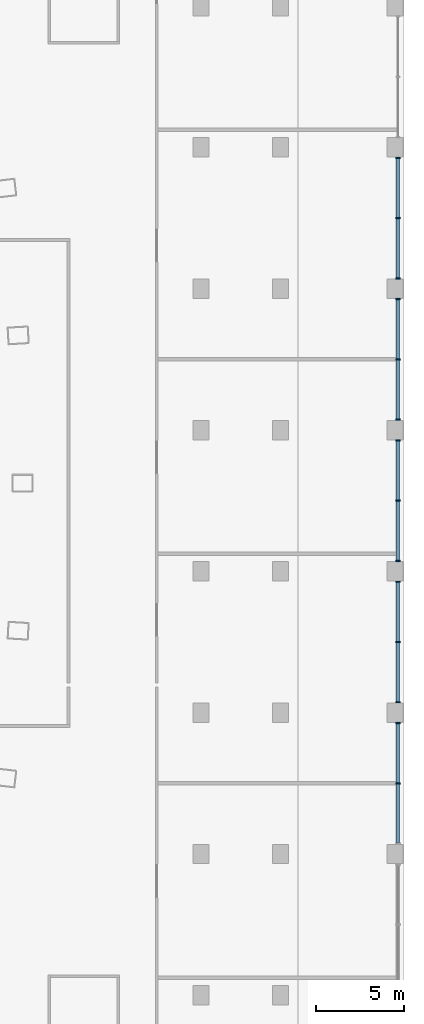
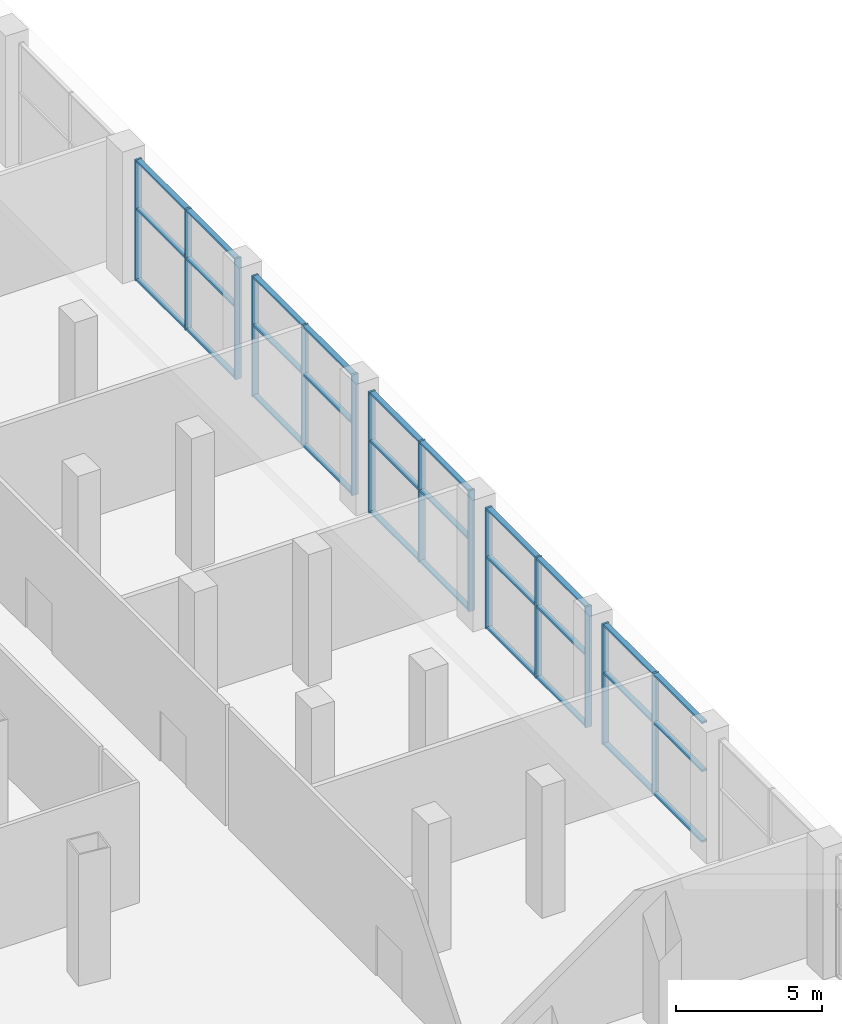
# One storey, part 5 of 26: 44 members, 5 elements without a shape of their own.
"""IFC4 building model written with IfcOpenShell, lengths in metres."""

from ifc_helpers import new_model, si_unit, direction, frame, origin, origin_2d, place, context, subcontext, project, spatial, rectangle, extrude, material, layer, layer_set, material_profile, profile_set, type_object, element, aggregate, save


model = new_model("IFC4")

# Units and contexts
model_context = context("Model", 3, precision=1e-05, world=origin(), true_north=direction((0.0, 1.0)))
body_context = subcontext(model_context, "Body", "Model", "MODEL_VIEW")
ifc_project = project(units=[si_unit("LENGTHUNIT", "METRE"), si_unit("AREAUNIT", "SQUARE_METRE"), si_unit("VOLUMEUNIT", "CUBIC_METRE"), si_unit("PLANEANGLEUNIT", "RADIAN"), si_unit("MASSUNIT", "GRAM", prefix="KILO")], contexts=[model_context])

# Site, building, storey
site_placement = place(None, origin())
site = spatial("IfcSite", under=ifc_project, at=site_placement, CompositionType="ELEMENT")
building_placement = place(site_placement, origin())
building = spatial("IfcBuilding", under=site, at=building_placement, Name="Alderwake Tower", CompositionType="ELEMENT")
storey_placement = place(building_placement, frame((0.0, 0.0, 8.0)))
storey = spatial("IfcBuildingStorey", under=building, at=storey_placement, Name="L01", CompositionType="ELEMENT", Elevation=8.0)

# Curtain wall, members
ifc_material_1 = material(Name="Bronze tinted glass in aluminium frame", Category="aluminium")
ifc_layer = layer(ifc_material_1, 0.300048828125)
ifc_layer_set = layer_set([ifc_layer], Name="Curtain wall CW2 station concourse wall")
curtain_wall_type = type_object("IfcCurtainWallType", Name="Curtain wall CW2 station concourse wall", PredefinedType="NOTDEFINED", material=ifc_layer_set)
curtain_wall_1_placement = place(storey_placement, origin())
curtain_wall_1 = element("IfcCurtainWall", 1, at=curtain_wall_1_placement, inside=storey, type_object=curtain_wall_type, Name="Curtain wall 7", PredefinedType="NOTDEFINED")
ifc_material_2 = material(Name="Aluminium bronze anodised", Category="aluminium")
ifc_material_profile_1 = material_profile(ifc_material_2, rectangle(XDim=0.25, YDim=0.080078125, at=origin_2d()), Name="Mullion MUB 80x250")
ifc_profile_set_1 = profile_set([ifc_material_profile_1], Name="Aluminium bronze anodised")
member_type_1 = type_object("IfcMemberType", Name="Mullion MUB 80x250", PredefinedType="MULLION", material=ifc_profile_set_1)
member_1_placement = place(storey_placement, frame((84.64990234375, 44.0, 0.0), z_axis=(0.0, 0.0, 1.0), x_axis=(-1.0, 0.0, 0.0)))
member_1 = element("IfcMember", 2, at=member_1_placement, type_object=member_type_1, Name="CW.07 mullion 2", PredefinedType="MULLION", context=body_context, shape_type="SweptSolid", body=[
    extrude(rectangle(XDim=0.25, YDim=0.080078125, at=origin_2d()), origin(), (0.0, 0.0, 1.0), 5.050048828125),
])
member_2_placement = place(storey_placement, frame((84.64990234375, 47.409912109375, 0.0), z_axis=(0.0, 0.0, 1.0), x_axis=(-1.0, 0.0, 0.0)))
member_2 = element("IfcMember", 3, at=member_2_placement, type_object=member_type_1, Name="CW.07 mullion 3", PredefinedType="MULLION", context=body_context, shape_type="SweptSolid", body=[
    extrude(rectangle(XDim=0.25, YDim=0.080078125, at=origin_2d()), origin(), (0.0, 0.0, 1.0), 5.050048828125),
])

curtain_wall_2_placement = place(storey_placement, origin())
curtain_wall_2 = element("IfcCurtainWall", 4, at=curtain_wall_2_placement, inside=storey, type_object=curtain_wall_type, Name="Curtain wall 8", PredefinedType="NOTDEFINED")
member_3_placement = place(storey_placement, frame((84.64990234375, 48.590087890625, 0.0), z_axis=(0.0, 0.0, 1.0), x_axis=(-1.0, 0.0, 0.0)))
member_3 = element("IfcMember", 5, at=member_3_placement, type_object=member_type_1, Name="CW.08 mullion 1", PredefinedType="MULLION", context=body_context, shape_type="SweptSolid", body=[
    extrude(rectangle(XDim=0.25, YDim=0.080078125, at=origin_2d()), origin(), (0.0, 0.0, 1.0), 5.050048828125),
])
member_4_placement = place(storey_placement, frame((84.64990234375, 52.0, 0.0), z_axis=(0.0, 0.0, 1.0), x_axis=(-1.0, 0.0, 0.0)))
member_4 = element("IfcMember", 6, at=member_4_placement, type_object=member_type_1, Name="CW.08 mullion 2", PredefinedType="MULLION", context=body_context, shape_type="SweptSolid", body=[
    extrude(rectangle(XDim=0.25, YDim=0.080078125, at=origin_2d()), origin(), (0.0, 0.0, 1.0), 5.050048828125),
])
member_5_placement = place(storey_placement, frame((84.64990234375, 55.409912109375, 0.0), z_axis=(0.0, 0.0, 1.0), x_axis=(-1.0, 0.0, 0.0)))
member_5 = element("IfcMember", 7, at=member_5_placement, type_object=member_type_1, Name="CW.08 mullion 3", PredefinedType="MULLION", context=body_context, shape_type="SweptSolid", body=[
    extrude(rectangle(XDim=0.25, YDim=0.080078125, at=origin_2d()), origin(), (0.0, 0.0, 1.0), 5.050048828125),
])

curtain_wall_3_placement = place(storey_placement, origin())
curtain_wall_3 = element("IfcCurtainWall", 8, at=curtain_wall_3_placement, inside=storey, type_object=curtain_wall_type, Name="Curtain wall 9", PredefinedType="NOTDEFINED")
member_6_placement = place(storey_placement, frame((84.64990234375, 56.590087890625, 0.0), z_axis=(0.0, 0.0, 1.0), x_axis=(-1.0, 0.0, 0.0)))
member_6 = element("IfcMember", 9, at=member_6_placement, type_object=member_type_1, Name="CW.09 mullion 1", PredefinedType="MULLION", context=body_context, shape_type="SweptSolid", body=[
    extrude(rectangle(XDim=0.25, YDim=0.080078125, at=origin_2d()), origin(), (0.0, 0.0, 1.0), 5.050048828125),
])
member_7_placement = place(storey_placement, frame((84.64990234375, 60.0, 0.0), z_axis=(0.0, 0.0, 1.0), x_axis=(-1.0, 0.0, 0.0)))
member_7 = element("IfcMember", 10, at=member_7_placement, type_object=member_type_1, Name="CW.09 mullion 2", PredefinedType="MULLION", context=body_context, shape_type="SweptSolid", body=[
    extrude(rectangle(XDim=0.25, YDim=0.080078125, at=origin_2d()), origin(), (0.0, 0.0, 1.0), 5.050048828125),
])
member_8_placement = place(storey_placement, frame((84.64990234375, 63.409912109375, 0.0), z_axis=(0.0, 0.0, 1.0), x_axis=(-1.0, 0.0, 0.0)))
member_8 = element("IfcMember", 11, at=member_8_placement, type_object=member_type_1, Name="CW.09 mullion 3", PredefinedType="MULLION", context=body_context, shape_type="SweptSolid", body=[
    extrude(rectangle(XDim=0.25, YDim=0.080078125, at=origin_2d()), origin(), (0.0, 0.0, 1.0), 5.050048828125),
])

curtain_wall_4_placement = place(storey_placement, origin())
curtain_wall_4 = element("IfcCurtainWall", 12, at=curtain_wall_4_placement, inside=storey, type_object=curtain_wall_type, Name="Curtain wall 10", PredefinedType="NOTDEFINED")
member_9_placement = place(storey_placement, frame((84.64990234375, 64.590087890625, 0.0), z_axis=(0.0, 0.0, 1.0), x_axis=(-1.0, 0.0, 0.0)))
member_9 = element("IfcMember", 13, at=member_9_placement, type_object=member_type_1, Name="CW.10 mullion 1", PredefinedType="MULLION", context=body_context, shape_type="SweptSolid", body=[
    extrude(rectangle(XDim=0.25, YDim=0.080078125, at=origin_2d()), origin(), (0.0, 0.0, 1.0), 5.050048828125),
])
member_10_placement = place(storey_placement, frame((84.64990234375, 68.0, 0.0), z_axis=(0.0, 0.0, 1.0), x_axis=(-1.0, 0.0, 0.0)))
member_10 = element("IfcMember", 14, at=member_10_placement, type_object=member_type_1, Name="CW.10 mullion 2", PredefinedType="MULLION", context=body_context, shape_type="SweptSolid", body=[
    extrude(rectangle(XDim=0.25, YDim=0.080078125, at=origin_2d()), origin(), (0.0, 0.0, 1.0), 5.050048828125),
])
member_11_placement = place(storey_placement, frame((84.64990234375, 71.409912109375, 0.0), z_axis=(0.0, 0.0, 1.0), x_axis=(-1.0, 0.0, 0.0)))
member_11 = element("IfcMember", 15, at=member_11_placement, type_object=member_type_1, Name="CW.10 mullion 3", PredefinedType="MULLION", context=body_context, shape_type="SweptSolid", body=[
    extrude(rectangle(XDim=0.25, YDim=0.080078125, at=origin_2d()), origin(), (0.0, 0.0, 1.0), 5.050048828125),
])

curtain_wall_5_placement = place(storey_placement, origin())
curtain_wall_5 = element("IfcCurtainWall", 16, at=curtain_wall_5_placement, inside=storey, type_object=curtain_wall_type, Name="Curtain wall 11", PredefinedType="NOTDEFINED")
member_12_placement = place(storey_placement, frame((84.64990234375, 72.590087890625, 0.0), z_axis=(0.0, 0.0, 1.0), x_axis=(-1.0, 0.0, 0.0)))
member_12 = element("IfcMember", 17, at=member_12_placement, type_object=member_type_1, Name="CW.11 mullion 1", PredefinedType="MULLION", context=body_context, shape_type="SweptSolid", body=[
    extrude(rectangle(XDim=0.25, YDim=0.080078125, at=origin_2d()), origin(), (0.0, 0.0, 1.0), 5.050048828125),
])
member_13_placement = place(storey_placement, frame((84.64990234375, 76.0, 0.0), z_axis=(0.0, 0.0, 1.0), x_axis=(-1.0, 0.0, 0.0)))
member_13 = element("IfcMember", 18, at=member_13_placement, type_object=member_type_1, Name="CW.11 mullion 2", PredefinedType="MULLION", context=body_context, shape_type="SweptSolid", body=[
    extrude(rectangle(XDim=0.25, YDim=0.080078125, at=origin_2d()), origin(), (0.0, 0.0, 1.0), 5.050048828125),
])
member_14_placement = place(storey_placement, frame((84.64990234375, 79.409912109375, 0.0), z_axis=(0.0, 0.0, 1.0), x_axis=(-1.0, 0.0, 0.0)))
member_14 = element("IfcMember", 19, at=member_14_placement, type_object=member_type_1, Name="CW.11 mullion 3", PredefinedType="MULLION", context=body_context, shape_type="SweptSolid", body=[
    extrude(rectangle(XDim=0.25, YDim=0.080078125, at=origin_2d()), origin(), (0.0, 0.0, 1.0), 5.050048828125),
])

# Member
ifc_material_3 = material(Name="Aluminium bronze anodised", Category="aluminium")
ifc_material_profile_2 = material_profile(ifc_material_3, rectangle(XDim=0.199951171875, YDim=0.080078125, at=origin_2d()), Name="Transom TRB 80x200")
ifc_profile_set_2 = profile_set([ifc_material_profile_2], Name="Aluminium bronze anodised")
member_type_2 = type_object("IfcMemberType", Name="Transom TRB 80x200", PredefinedType="USERDEFINED", material=ifc_profile_set_2)
member_15_placement = place(storey_placement, frame((84.64990234375, 40.6298828125, 0.0400390625), z_axis=(0.0, 1.0, 0.0), x_axis=(-1.0, 0.0, 0.0)))
member_15 = element("IfcMember", 20, at=member_15_placement, type_object=member_type_2, Name="CW.07 transom 1.1", ObjectType="TRANSOM", PredefinedType="USERDEFINED", context=body_context, shape_type="SweptSolid", body=[
    extrude(rectangle(XDim=0.199951171875, YDim=0.080078125, at=origin_2d()), origin(), (0.0, 0.0, 1.0), 3.330078125),
])

member_16_placement = place(storey_placement, frame((84.64990234375, 40.6298828125, 3.0), z_axis=(0.0, 1.0, 0.0), x_axis=(-1.0, 0.0, 0.0)))
member_16 = element("IfcMember", 21, at=member_16_placement, type_object=member_type_2, Name="CW.07 transom 1.2", ObjectType="TRANSOM", PredefinedType="USERDEFINED", context=body_context, shape_type="SweptSolid", body=[
    extrude(rectangle(XDim=0.199951171875, YDim=0.080078125, at=origin_2d()), origin(), (0.0, 0.0, 1.0), 3.330078125),
])

member_17_placement = place(storey_placement, frame((84.64990234375, 40.6298828125, 5.010009765625), z_axis=(0.0, 1.0, 0.0), x_axis=(-1.0, 0.0, 0.0)))
member_17 = element("IfcMember", 22, at=member_17_placement, type_object=member_type_2, Name="CW.07 transom 1.3", ObjectType="TRANSOM", PredefinedType="USERDEFINED", context=body_context, shape_type="SweptSolid", body=[
    extrude(rectangle(XDim=0.199951171875, YDim=0.080078125, at=origin_2d()), origin(), (0.0, 0.0, 1.0), 3.330078125),
])

member_18_placement = place(storey_placement, frame((84.64990234375, 44.0400390625, 0.0400390625), z_axis=(0.0, 1.0, 0.0), x_axis=(-1.0, 0.0, 0.0)))
member_18 = element("IfcMember", 23, at=member_18_placement, type_object=member_type_2, Name="CW.07 transom 2.1", ObjectType="TRANSOM", PredefinedType="USERDEFINED", context=body_context, shape_type="SweptSolid", body=[
    extrude(rectangle(XDim=0.199951171875, YDim=0.080078125, at=origin_2d()), origin(), (0.0, 0.0, 1.0), 3.330078125),
])

member_19_placement = place(storey_placement, frame((84.64990234375, 44.0400390625, 3.0), z_axis=(0.0, 1.0, 0.0), x_axis=(-1.0, 0.0, 0.0)))
member_19 = element("IfcMember", 24, at=member_19_placement, type_object=member_type_2, Name="CW.07 transom 2.2", ObjectType="TRANSOM", PredefinedType="USERDEFINED", context=body_context, shape_type="SweptSolid", body=[
    extrude(rectangle(XDim=0.199951171875, YDim=0.080078125, at=origin_2d()), origin(), (0.0, 0.0, 1.0), 3.330078125),
])

member_20_placement = place(storey_placement, frame((84.64990234375, 44.0400390625, 5.010009765625), z_axis=(0.0, 1.0, 0.0), x_axis=(-1.0, 0.0, 0.0)))
member_20 = element("IfcMember", 25, at=member_20_placement, type_object=member_type_2, Name="CW.07 transom 2.3", ObjectType="TRANSOM", PredefinedType="USERDEFINED", context=body_context, shape_type="SweptSolid", body=[
    extrude(rectangle(XDim=0.199951171875, YDim=0.080078125, at=origin_2d()), origin(), (0.0, 0.0, 1.0), 3.330078125),
])

aggregate(curtain_wall_1, [member_1, member_2, member_15, member_16, member_17, member_18, member_19, member_20])

member_21_placement = place(storey_placement, frame((84.64990234375, 48.6298828125, 0.0400390625), z_axis=(0.0, 1.0, 0.0), x_axis=(-1.0, 0.0, 0.0)))
member_21 = element("IfcMember", 26, at=member_21_placement, type_object=member_type_2, Name="CW.08 transom 1.1", ObjectType="TRANSOM", PredefinedType="USERDEFINED", context=body_context, shape_type="SweptSolid", body=[
    extrude(rectangle(XDim=0.199951171875, YDim=0.080078125, at=origin_2d()), origin(), (0.0, 0.0, 1.0), 3.330078125),
])

member_22_placement = place(storey_placement, frame((84.64990234375, 48.6298828125, 3.0), z_axis=(0.0, 1.0, 0.0), x_axis=(-1.0, 0.0, 0.0)))
member_22 = element("IfcMember", 27, at=member_22_placement, type_object=member_type_2, Name="CW.08 transom 1.2", ObjectType="TRANSOM", PredefinedType="USERDEFINED", context=body_context, shape_type="SweptSolid", body=[
    extrude(rectangle(XDim=0.199951171875, YDim=0.080078125, at=origin_2d()), origin(), (0.0, 0.0, 1.0), 3.330078125),
])

member_23_placement = place(storey_placement, frame((84.64990234375, 48.6298828125, 5.010009765625), z_axis=(0.0, 1.0, 0.0), x_axis=(-1.0, 0.0, 0.0)))
member_23 = element("IfcMember", 28, at=member_23_placement, type_object=member_type_2, Name="CW.08 transom 1.3", ObjectType="TRANSOM", PredefinedType="USERDEFINED", context=body_context, shape_type="SweptSolid", body=[
    extrude(rectangle(XDim=0.199951171875, YDim=0.080078125, at=origin_2d()), origin(), (0.0, 0.0, 1.0), 3.330078125),
])

member_24_placement = place(storey_placement, frame((84.64990234375, 52.0400390625, 0.0400390625), z_axis=(0.0, 1.0, 0.0), x_axis=(-1.0, 0.0, 0.0)))
member_24 = element("IfcMember", 29, at=member_24_placement, type_object=member_type_2, Name="CW.08 transom 2.1", ObjectType="TRANSOM", PredefinedType="USERDEFINED", context=body_context, shape_type="SweptSolid", body=[
    extrude(rectangle(XDim=0.199951171875, YDim=0.080078125, at=origin_2d()), origin(), (0.0, 0.0, 1.0), 3.330078125),
])

member_25_placement = place(storey_placement, frame((84.64990234375, 52.0400390625, 3.0), z_axis=(0.0, 1.0, 0.0), x_axis=(-1.0, 0.0, 0.0)))
member_25 = element("IfcMember", 30, at=member_25_placement, type_object=member_type_2, Name="CW.08 transom 2.2", ObjectType="TRANSOM", PredefinedType="USERDEFINED", context=body_context, shape_type="SweptSolid", body=[
    extrude(rectangle(XDim=0.199951171875, YDim=0.080078125, at=origin_2d()), origin(), (0.0, 0.0, 1.0), 3.330078125),
])

member_26_placement = place(storey_placement, frame((84.64990234375, 52.0400390625, 5.010009765625), z_axis=(0.0, 1.0, 0.0), x_axis=(-1.0, 0.0, 0.0)))
member_26 = element("IfcMember", 31, at=member_26_placement, type_object=member_type_2, Name="CW.08 transom 2.3", ObjectType="TRANSOM", PredefinedType="USERDEFINED", context=body_context, shape_type="SweptSolid", body=[
    extrude(rectangle(XDim=0.199951171875, YDim=0.080078125, at=origin_2d()), origin(), (0.0, 0.0, 1.0), 3.330078125),
])

aggregate(curtain_wall_2, [member_3, member_4, member_5, member_21, member_22, member_23, member_24, member_25, member_26])

member_27_placement = place(storey_placement, frame((84.64990234375, 56.6298828125, 0.0400390625), z_axis=(0.0, 1.0, 0.0), x_axis=(-1.0, 0.0, 0.0)))
member_27 = element("IfcMember", 32, at=member_27_placement, type_object=member_type_2, Name="CW.09 transom 1.1", ObjectType="TRANSOM", PredefinedType="USERDEFINED", context=body_context, shape_type="SweptSolid", body=[
    extrude(rectangle(XDim=0.199951171875, YDim=0.080078125, at=origin_2d()), origin(), (0.0, 0.0, 1.0), 3.330078125),
])

member_28_placement = place(storey_placement, frame((84.64990234375, 56.6298828125, 3.0), z_axis=(0.0, 1.0, 0.0), x_axis=(-1.0, 0.0, 0.0)))
member_28 = element("IfcMember", 33, at=member_28_placement, type_object=member_type_2, Name="CW.09 transom 1.2", ObjectType="TRANSOM", PredefinedType="USERDEFINED", context=body_context, shape_type="SweptSolid", body=[
    extrude(rectangle(XDim=0.199951171875, YDim=0.080078125, at=origin_2d()), origin(), (0.0, 0.0, 1.0), 3.330078125),
])

member_29_placement = place(storey_placement, frame((84.64990234375, 56.6298828125, 5.010009765625), z_axis=(0.0, 1.0, 0.0), x_axis=(-1.0, 0.0, 0.0)))
member_29 = element("IfcMember", 34, at=member_29_placement, type_object=member_type_2, Name="CW.09 transom 1.3", ObjectType="TRANSOM", PredefinedType="USERDEFINED", context=body_context, shape_type="SweptSolid", body=[
    extrude(rectangle(XDim=0.199951171875, YDim=0.080078125, at=origin_2d()), origin(), (0.0, 0.0, 1.0), 3.330078125),
])

member_30_placement = place(storey_placement, frame((84.64990234375, 60.0400390625, 0.0400390625), z_axis=(0.0, 1.0, 0.0), x_axis=(-1.0, 0.0, 0.0)))
member_30 = element("IfcMember", 35, at=member_30_placement, type_object=member_type_2, Name="CW.09 transom 2.1", ObjectType="TRANSOM", PredefinedType="USERDEFINED", context=body_context, shape_type="SweptSolid", body=[
    extrude(rectangle(XDim=0.199951171875, YDim=0.080078125, at=origin_2d()), origin(), (0.0, 0.0, 1.0), 3.330078125),
])

member_31_placement = place(storey_placement, frame((84.64990234375, 60.0400390625, 3.0), z_axis=(0.0, 1.0, 0.0), x_axis=(-1.0, 0.0, 0.0)))
member_31 = element("IfcMember", 36, at=member_31_placement, type_object=member_type_2, Name="CW.09 transom 2.2", ObjectType="TRANSOM", PredefinedType="USERDEFINED", context=body_context, shape_type="SweptSolid", body=[
    extrude(rectangle(XDim=0.199951171875, YDim=0.080078125, at=origin_2d()), origin(), (0.0, 0.0, 1.0), 3.330078125),
])

member_32_placement = place(storey_placement, frame((84.64990234375, 60.0400390625, 5.010009765625), z_axis=(0.0, 1.0, 0.0), x_axis=(-1.0, 0.0, 0.0)))
member_32 = element("IfcMember", 37, at=member_32_placement, type_object=member_type_2, Name="CW.09 transom 2.3", ObjectType="TRANSOM", PredefinedType="USERDEFINED", context=body_context, shape_type="SweptSolid", body=[
    extrude(rectangle(XDim=0.199951171875, YDim=0.080078125, at=origin_2d()), origin(), (0.0, 0.0, 1.0), 3.330078125),
])

aggregate(curtain_wall_3, [member_6, member_7, member_8, member_27, member_28, member_29, member_30, member_31, member_32])

member_33_placement = place(storey_placement, frame((84.64990234375, 64.6298828125, 0.0400390625), z_axis=(0.0, 1.0, 0.0), x_axis=(-1.0, 0.0, 0.0)))
member_33 = element("IfcMember", 38, at=member_33_placement, type_object=member_type_2, Name="CW.10 transom 1.1", ObjectType="TRANSOM", PredefinedType="USERDEFINED", context=body_context, shape_type="SweptSolid", body=[
    extrude(rectangle(XDim=0.199951171875, YDim=0.080078125, at=origin_2d()), origin(), (0.0, 0.0, 1.0), 3.330078125),
])

member_34_placement = place(storey_placement, frame((84.64990234375, 64.6298828125, 3.0), z_axis=(0.0, 1.0, 0.0), x_axis=(-1.0, 0.0, 0.0)))
member_34 = element("IfcMember", 39, at=member_34_placement, type_object=member_type_2, Name="CW.10 transom 1.2", ObjectType="TRANSOM", PredefinedType="USERDEFINED", context=body_context, shape_type="SweptSolid", body=[
    extrude(rectangle(XDim=0.199951171875, YDim=0.080078125, at=origin_2d()), origin(), (0.0, 0.0, 1.0), 3.330078125),
])

member_35_placement = place(storey_placement, frame((84.64990234375, 64.6298828125, 5.010009765625), z_axis=(0.0, 1.0, 0.0), x_axis=(-1.0, 0.0, 0.0)))
member_35 = element("IfcMember", 40, at=member_35_placement, type_object=member_type_2, Name="CW.10 transom 1.3", ObjectType="TRANSOM", PredefinedType="USERDEFINED", context=body_context, shape_type="SweptSolid", body=[
    extrude(rectangle(XDim=0.199951171875, YDim=0.080078125, at=origin_2d()), origin(), (0.0, 0.0, 1.0), 3.330078125),
])

member_36_placement = place(storey_placement, frame((84.64990234375, 68.0400390625, 0.0400390625), z_axis=(0.0, 1.0, 0.0), x_axis=(-1.0, 0.0, 0.0)))
member_36 = element("IfcMember", 41, at=member_36_placement, type_object=member_type_2, Name="CW.10 transom 2.1", ObjectType="TRANSOM", PredefinedType="USERDEFINED", context=body_context, shape_type="SweptSolid", body=[
    extrude(rectangle(XDim=0.199951171875, YDim=0.080078125, at=origin_2d()), origin(), (0.0, 0.0, 1.0), 3.330078125),
])

member_37_placement = place(storey_placement, frame((84.64990234375, 68.0400390625, 3.0), z_axis=(0.0, 1.0, 0.0), x_axis=(-1.0, 0.0, 0.0)))
member_37 = element("IfcMember", 42, at=member_37_placement, type_object=member_type_2, Name="CW.10 transom 2.2", ObjectType="TRANSOM", PredefinedType="USERDEFINED", context=body_context, shape_type="SweptSolid", body=[
    extrude(rectangle(XDim=0.199951171875, YDim=0.080078125, at=origin_2d()), origin(), (0.0, 0.0, 1.0), 3.330078125),
])

member_38_placement = place(storey_placement, frame((84.64990234375, 68.0400390625, 5.010009765625), z_axis=(0.0, 1.0, 0.0), x_axis=(-1.0, 0.0, 0.0)))
member_38 = element("IfcMember", 43, at=member_38_placement, type_object=member_type_2, Name="CW.10 transom 2.3", ObjectType="TRANSOM", PredefinedType="USERDEFINED", context=body_context, shape_type="SweptSolid", body=[
    extrude(rectangle(XDim=0.199951171875, YDim=0.080078125, at=origin_2d()), origin(), (0.0, 0.0, 1.0), 3.330078125),
])

aggregate(curtain_wall_4, [member_9, member_10, member_11, member_33, member_34, member_35, member_36, member_37, member_38])

member_39_placement = place(storey_placement, frame((84.64990234375, 72.6298828125, 0.0400390625), z_axis=(0.0, 1.0, 0.0), x_axis=(-1.0, 0.0, 0.0)))
member_39 = element("IfcMember", 44, at=member_39_placement, type_object=member_type_2, Name="CW.11 transom 1.1", ObjectType="TRANSOM", PredefinedType="USERDEFINED", context=body_context, shape_type="SweptSolid", body=[
    extrude(rectangle(XDim=0.199951171875, YDim=0.080078125, at=origin_2d()), origin(), (0.0, 0.0, 1.0), 3.330078125),
])

member_40_placement = place(storey_placement, frame((84.64990234375, 72.6298828125, 3.0), z_axis=(0.0, 1.0, 0.0), x_axis=(-1.0, 0.0, 0.0)))
member_40 = element("IfcMember", 45, at=member_40_placement, type_object=member_type_2, Name="CW.11 transom 1.2", ObjectType="TRANSOM", PredefinedType="USERDEFINED", context=body_context, shape_type="SweptSolid", body=[
    extrude(rectangle(XDim=0.199951171875, YDim=0.080078125, at=origin_2d()), origin(), (0.0, 0.0, 1.0), 3.330078125),
])

member_41_placement = place(storey_placement, frame((84.64990234375, 72.6298828125, 5.010009765625), z_axis=(0.0, 1.0, 0.0), x_axis=(-1.0, 0.0, 0.0)))
member_41 = element("IfcMember", 46, at=member_41_placement, type_object=member_type_2, Name="CW.11 transom 1.3", ObjectType="TRANSOM", PredefinedType="USERDEFINED", context=body_context, shape_type="SweptSolid", body=[
    extrude(rectangle(XDim=0.199951171875, YDim=0.080078125, at=origin_2d()), origin(), (0.0, 0.0, 1.0), 3.330078125),
])

member_42_placement = place(storey_placement, frame((84.64990234375, 76.0400390625, 0.0400390625), z_axis=(0.0, 1.0, 0.0), x_axis=(-1.0, 0.0, 0.0)))
member_42 = element("IfcMember", 47, at=member_42_placement, type_object=member_type_2, Name="CW.11 transom 2.1", ObjectType="TRANSOM", PredefinedType="USERDEFINED", context=body_context, shape_type="SweptSolid", body=[
    extrude(rectangle(XDim=0.199951171875, YDim=0.080078125, at=origin_2d()), origin(), (0.0, 0.0, 1.0), 3.330078125),
])

member_43_placement = place(storey_placement, frame((84.64990234375, 76.0400390625, 3.0), z_axis=(0.0, 1.0, 0.0), x_axis=(-1.0, 0.0, 0.0)))
member_43 = element("IfcMember", 48, at=member_43_placement, type_object=member_type_2, Name="CW.11 transom 2.2", ObjectType="TRANSOM", PredefinedType="USERDEFINED", context=body_context, shape_type="SweptSolid", body=[
    extrude(rectangle(XDim=0.199951171875, YDim=0.080078125, at=origin_2d()), origin(), (0.0, 0.0, 1.0), 3.330078125),
])

member_44_placement = place(storey_placement, frame((84.64990234375, 76.0400390625, 5.010009765625), z_axis=(0.0, 1.0, 0.0), x_axis=(-1.0, 0.0, 0.0)))
member_44 = element("IfcMember", 49, at=member_44_placement, type_object=member_type_2, Name="CW.11 transom 2.3", ObjectType="TRANSOM", PredefinedType="USERDEFINED", context=body_context, shape_type="SweptSolid", body=[
    extrude(rectangle(XDim=0.199951171875, YDim=0.080078125, at=origin_2d()), origin(), (0.0, 0.0, 1.0), 3.330078125),
])

aggregate(curtain_wall_5, [member_12, member_13, member_14, member_39, member_40, member_41, member_42, member_43, member_44])

save(model, "model.ifc")
